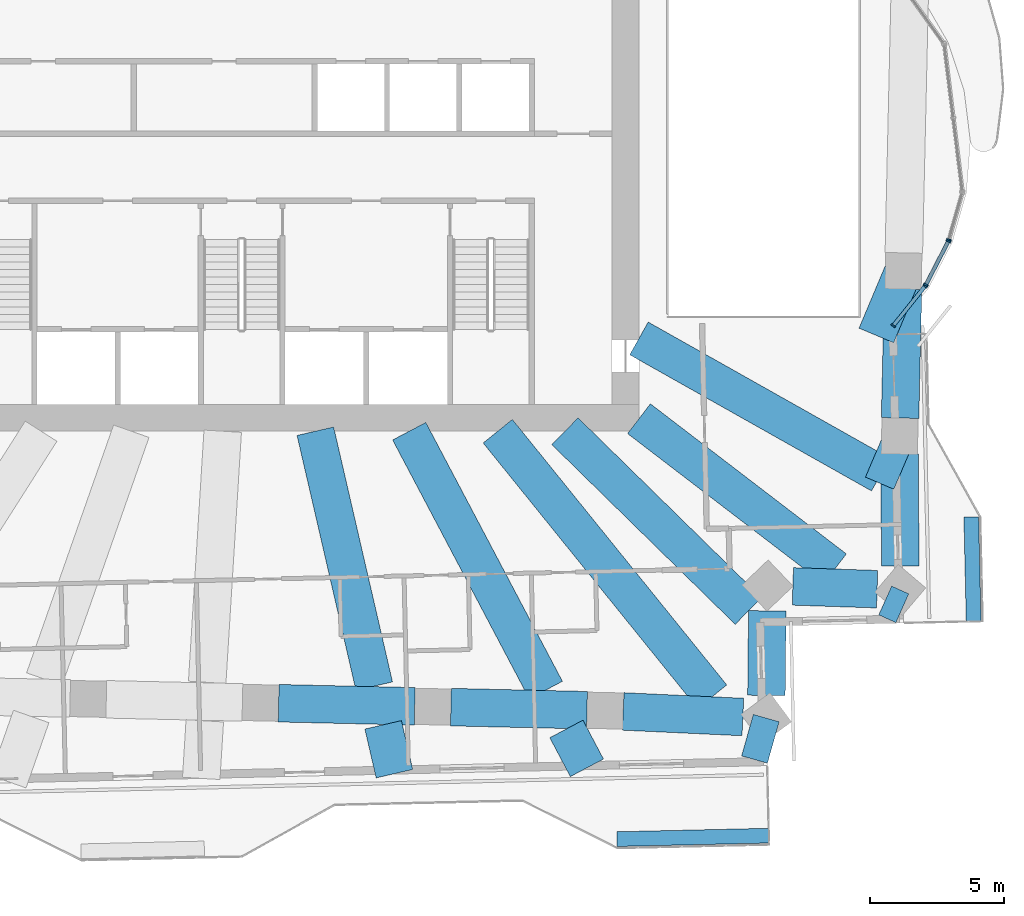
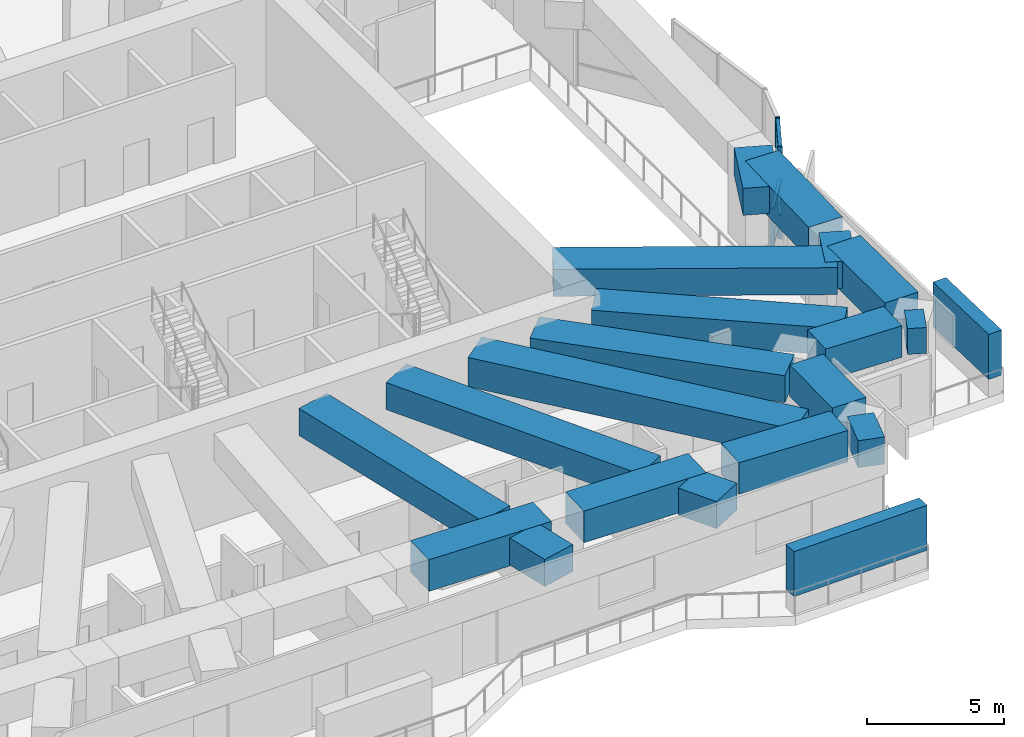
# One storey, part 3 of 21: 19 beams, 11 members, 3 elements without a shape of their own.
"""IFC4 building model written with IfcOpenShell, lengths in metres."""

import ifcopenshell
import ifcopenshell.guid

model = None  # the IFC model being written
_history = None  # IfcOwnerHistory: only IFC2X3 demands one
_inside = {}  # id of a spatial element -> (the spatial element, [elements in it])
_under = {}  # id of a project, library or spatial element -> (it, [spatial elements below it])
_declared = {}  # id of a project -> (the project, [libraries it declares])
_typed = {}  # id of a type object -> (the type object, [elements of that type])
_made_of = {}  # id of a material, layer set ... -> (it, [elements and type objects made of it])


def new_model(schema):
    """Start an empty IFC model of exactly this schema.

    Asked for "IFC4X3", IfcOpenShell would pick the latest addendum, in which some entities
    have other attributes; the version numbers below select the first issue.
    IFC2X3 requires an IfcOwnerHistory on every rooted entity: one is made here for all.
    """
    global model, _history
    if schema == "IFC4X3":
        model = ifcopenshell.file(schema_version=(4, 3, 0, 0))
    else:
        model = ifcopenshell.file(schema=schema)
    _inside.clear()
    _under.clear()
    _declared.clear()
    _typed.clear()
    _made_of.clear()
    _history = None
    if model.schema == "IFC2X3":
        org = make("IfcOrganization", Name="unknown")
        user = make(
            "IfcPersonAndOrganization",
            ThePerson=make("IfcPerson", FamilyName="unknown"),
            TheOrganization=org,
        )
        app = make(
            "IfcApplication",
            ApplicationDeveloper=org,
            Version="unknown",
            ApplicationFullName="unknown",
            ApplicationIdentifier="unknown",
        )
        _history = make(
            "IfcOwnerHistory",
            OwningUser=user,
            OwningApplication=app,
            ChangeAction="ADDED",
            CreationDate=0,
        )
    return model


def make(cls, **values):
    """One entity of the class cls with the attributes given. An attribute that is None is left unset."""
    return model.create_entity(
        cls, **{name: value for name, value in values.items() if value is not None}
    )


def rooted(cls, **values):
    """An entity with a GlobalId (a new one), such as an element, a storey or a relation."""
    return make(cls, GlobalId=ifcopenshell.guid.new(), OwnerHistory=_history, **values)


def si_unit(unit_type, name, prefix=None):
    """IfcSIUnit, for example si_unit("LENGTHUNIT", "METRE", prefix="MILLI")."""
    return make("IfcSIUnit", UnitType=unit_type, Prefix=prefix, Name=name)


def assignment(units):
    """IfcUnitAssignment: the units of a project."""
    return None if units is None else make("IfcUnitAssignment", Units=units)


def point(xyz):
    """IfcCartesianPoint."""
    return None if xyz is None else make("IfcCartesianPoint", Coordinates=xyz)


def direction(xyz):
    """IfcDirection."""
    return None if xyz is None else make("IfcDirection", DirectionRatios=xyz)


def frame(location, z_axis=None, x_axis=None):
    """IfcAxis2Placement3D, a coordinate frame: its origin and axes. An axis left out is left unset."""
    return make(
        "IfcAxis2Placement3D",
        Location=point(location),
        Axis=direction(z_axis),
        RefDirection=direction(x_axis),
    )


def frame_2d(location, x_axis=None):
    """IfcAxis2Placement2D, a coordinate frame in the plane: its origin and x axis."""
    return make(
        "IfcAxis2Placement2D", Location=point(location), RefDirection=direction(x_axis)
    )


def origin():
    """The frame at (0, 0, 0) with its axes left unset."""
    return frame((0.0, 0.0, 0.0))


def origin_2d():
    """The frame at (0, 0) in the plane with its x axis left unset."""
    return frame_2d((0.0, 0.0))


def place(relative_to, where):
    """IfcLocalPlacement: puts the frame where relative to a parent placement (None: the world)."""
    return make(
        "IfcLocalPlacement", PlacementRelTo=relative_to, RelativePlacement=where
    )


def context(
    kind, dimensions, precision=None, world=None, true_north=None, identifier=None
):
    """IfcGeometricRepresentationContext, for example the 3D "Model" context."""
    return make(
        "IfcGeometricRepresentationContext",
        ContextIdentifier=identifier,
        ContextType=kind,
        CoordinateSpaceDimension=dimensions,
        Precision=precision,
        WorldCoordinateSystem=world,
        TrueNorth=true_north,
    )


def subcontext(parent, identifier, kind, view, scale=None):
    """IfcGeometricRepresentationSubContext, for example "Body" below "Model"."""
    return make(
        "IfcGeometricRepresentationSubContext",
        ContextIdentifier=identifier,
        ContextType=kind,
        ParentContext=parent,
        TargetScale=scale,
        TargetView=view,
    )


def project(units=None, contexts=None):
    """IfcProject with its units and contexts."""
    return rooted(
        "IfcProject",
        Name="project",
        RepresentationContexts=contexts,
        UnitsInContext=assignment(units),
    )


def spatial(cls, under=None, at=None, **own):
    """A site, building, storey or space (cls), placed at a placement, below another one or the project."""
    s = rooted(cls, ObjectPlacement=at, **own)
    if under is not None:
        _under.setdefault(under.id(), (under, []))[1].append(s)
    return s


def profile(cls, at=None, kind="AREA", **sizes):
    """A parametric profile (cls). Its sizes go by their IFC names, for example OverallWidth=200.0."""
    return make(cls, ProfileType=kind, Position=at, **sizes)


def rectangle(**sizes):
    """IfcRectangleProfileDef."""
    return profile("IfcRectangleProfileDef", **sizes)


def extrude(swept, where, along, depth):
    """IfcExtrudedAreaSolid: the profile swept, set in the frame where, extruded along a direction by depth."""
    return make(
        "IfcExtrudedAreaSolid",
        SweptArea=swept,
        Position=where,
        ExtrudedDirection=direction(along),
        Depth=depth,
    )


def shape(context_of_items, identifier, shape_type, items):
    """IfcShapeRepresentation: the items that make up one representation, for example the "Body"."""
    return make(
        "IfcShapeRepresentation",
        ContextOfItems=context_of_items,
        RepresentationIdentifier=identifier,
        RepresentationType=shape_type,
        Items=items,
    )


def material(Name=None, Category=None):
    """IfcMaterial."""
    return make("IfcMaterial", Name=Name, Category=Category)


def material_profile(
    of_material, cross_section, Name=None, Category=None, Priority=None
):
    """IfcMaterialProfile: a cross section and its material."""
    return make(
        "IfcMaterialProfile",
        Name=Name,
        Material=of_material,
        Profile=cross_section,
        Priority=Priority,
        Category=Category,
    )


def profile_set(profiles, Name=None, composite=None):
    """IfcMaterialProfileSet."""
    return make(
        "IfcMaterialProfileSet",
        Name=Name,
        MaterialProfiles=profiles,
        CompositeProfile=composite,
    )


def made_of(thing, what):
    """Note that an element or type object is made of a material, layer set ...; save() writes the relation."""
    if what is not None:
        _made_of.setdefault(what.id(), (what, []))[1].append(thing)
    return thing


def type_object(cls, material=None, **own):
    """A type object (cls), such as IfcWallType, which elements share."""
    return made_of(rooted(cls, **own), material)


def element(
    cls,
    number,
    at=None,
    inside=None,
    cuts=None,
    type_object=None,
    material=None,
    context=None,
    identifier="Body",
    shape_type=None,
    held_by="IfcProductDefinitionShape",
    body=None,
    shapes=None,
    **own,
):
    """One element of the class cls, such as IfcWall. Its Tag is "e" and its number.

    at: its placement. inside: the storey or other place that contains it. cuts: it is an
    opening in that element (IfcRelVoidsElement). A single representation is given by context,
    identifier, shape_type and body (its items); several are given by shapes. held_by: the class
    of the entity that holds the representations. save() writes the other relations.
    """
    e = rooted(cls, Tag="e%d" % number, ObjectPlacement=at, **own)
    if body is not None:
        shapes = [shape(context, identifier, shape_type, body)]
    if shapes is not None:
        e.Representation = make(held_by, Representations=shapes)
    if inside is not None:
        _inside.setdefault(inside.id(), (inside, []))[1].append(e)
    if cuts is not None:
        rooted(
            "IfcRelVoidsElement", RelatingBuildingElement=cuts, RelatedOpeningElement=e
        )
    if type_object is not None:
        _typed.setdefault(type_object.id(), (type_object, []))[1].append(e)
    return made_of(e, material)


def aggregate(whole, parts):
    """IfcRelAggregates: a whole, such as a stair, and the parts it consists of."""
    return rooted("IfcRelAggregates", RelatingObject=whole, RelatedObjects=parts)


def save(model, path):
    """Write the relations noted so far, then the file.

    IfcRelAggregates (storeys below a building ...), IfcRelContainedInSpatialStructure (elements
    in a storey), IfcRelDefinesByType, IfcRelAssociatesMaterial and IfcRelDeclares: one each for
    every whole, place, type object, material and project.
    """
    for whole, parts in _under.values():
        aggregate(whole, parts)
    for where, things in _inside.values():
        rooted(
            "IfcRelContainedInSpatialStructure",
            RelatedElements=things,
            RelatingStructure=where,
        )
    for kind, things in _typed.values():
        rooted("IfcRelDefinesByType", RelatedObjects=things, RelatingType=kind)
    for what, things in _made_of.values():
        rooted("IfcRelAssociatesMaterial", RelatedObjects=things, RelatingMaterial=what)
    for by, libraries in _declared.values():
        rooted("IfcRelDeclares", RelatingContext=by, RelatedDefinitions=libraries)
    model.write(path)


model = new_model("IFC4")

# Units and contexts
model_context = context("Model", 3, precision=1e-05, world=origin(), true_north=direction((0.0, 1.0)))
body_context = subcontext(model_context, "Body", "Model", "MODEL_VIEW")
ifc_project = project(units=[si_unit("LENGTHUNIT", "METRE"), si_unit("AREAUNIT", "SQUARE_METRE"), si_unit("VOLUMEUNIT", "CUBIC_METRE"), si_unit("PLANEANGLEUNIT", "RADIAN"), si_unit("MASSUNIT", "GRAM", prefix="KILO")], contexts=[model_context])

# Site, building, storey
site_placement = place(None, origin())
site = spatial("IfcSite", under=ifc_project, at=site_placement, CompositionType="ELEMENT")
building_placement = place(site_placement, origin())
building = spatial("IfcBuilding", under=site, at=building_placement, Name="Mangrove Gate Tower", CompositionType="ELEMENT")
storey_placement = place(building_placement, frame((0.0, 0.0, 125.5)))
storey = spatial("IfcBuildingStorey", under=building, at=storey_placement, Name="L31", CompositionType="ELEMENT", Elevation=125.5)

# Members
ifc_material_1 = material(Name="Planting on aluminium trellis", Category="aluminium")
ifc_material_profile_1 = material_profile(ifc_material_1, rectangle(XDim=0.550048828125, YDim=2.0, at=origin_2d()))
ifc_profile_set_1 = profile_set([ifc_material_profile_1], Name="Planting on aluminium trellis")
member_type_1 = type_object("IfcMemberType", Name="Balcony greenery screen 550x2000", PredefinedType="USERDEFINED", material=ifc_profile_set_1)
member_1_placement = place(storey_placement, frame((27.285888671875, -18.89892578125, 1.800048828125), z_axis=(-0.022786818173, 0.999740346749, 0.0), x_axis=(-0.999740346749, -0.022786818173, 0.0)))
element("IfcMember", 1, at=member_1_placement, inside=storey, type_object=member_type_1, Name="GREEN SCREEN L31 E0.1", ObjectType="PLANTING", PredefinedType="USERDEFINED", context=body_context, shape_type="SweptSolid", body=[
    extrude(rectangle(XDim=0.550048828125, YDim=2.0, at=origin_2d()), origin(), (0.0, 0.0, 1.0), 3.89990234375),
])
member_2_placement = place(storey_placement, frame((13.97998046875, -27.01806640625, 1.800048828125), z_axis=(0.999740678608, 0.022772253659, 0.0), x_axis=(-0.022772253659, 0.999740678608, 0.0)))
element("IfcMember", 2, at=member_2_placement, inside=storey, type_object=member_type_1, Name="GREEN SCREEN L31 S1.1", ObjectType="PLANTING", PredefinedType="USERDEFINED", context=body_context, shape_type="SweptSolid", body=[
    extrude(rectangle(XDim=0.550048828125, YDim=2.0, at=origin_2d()), origin(), (0.0, 0.0, 1.0), 5.67138671875),
])

# Curtain wall, members
ifc_material_2 = material(Name="Aluminium and glass curtain wall", Category="aluminium")
curtain_wall_type = type_object("IfcCurtainWallType", Name="Sky-lounge glazing wall", PredefinedType="NOTDEFINED", material=ifc_material_2)
curtain_wall_1_placement = place(storey_placement, origin())
curtain_wall_1 = element("IfcCurtainWall", 3, at=curtain_wall_1_placement, inside=storey, type_object=curtain_wall_type, Name="Sky-lounge glazing E1f1", PredefinedType="NOTDEFINED")
ifc_material_3 = material(Name="Aluminium alloy 6063-T6", Category="aluminium")
ifc_material_profile_2 = material_profile(ifc_material_3, rectangle(XDim=0.06005859375, YDim=0.179931640625, at=origin_2d()))
ifc_profile_set_2 = profile_set([ifc_material_profile_2], Name="Aluminium alloy 6063-T6")
member_type_2 = type_object("IfcMemberType", Name="Sky-lounge glazing mullion 60x180", PredefinedType="MULLION", material=ifc_profile_set_2)
member_3_placement = place(storey_placement, frame((24.288818359375, -7.862060546875, 0.0), z_axis=(0.0, 0.0, 1.0), x_axis=(0.625547939332, 0.780185731475, 0.0)))
member_3 = element("IfcMember", 4, at=member_3_placement, type_object=member_type_2, Name="CWK mullion 1", PredefinedType="MULLION", context=body_context, shape_type="SweptSolid", body=[
    extrude(rectangle(XDim=0.06005859375, YDim=0.179931640625, at=origin_2d()), origin(), (0.0, 0.0, 1.0), 2.64990234375),
])
member_4_placement = place(storey_placement, frame((25.47265625, -6.385498046875, 0.0), z_axis=(0.0, 0.0, 1.0), x_axis=(0.625547939332, 0.780185731475, 0.0)))
member_4 = element("IfcMember", 5, at=member_4_placement, type_object=member_type_2, Name="CWK mullion 2", PredefinedType="MULLION", context=body_context, shape_type="SweptSolid", body=[
    extrude(rectangle(XDim=0.06005859375, YDim=0.179931640625, at=origin_2d()), origin(), (0.0, 0.0, 1.0), 2.64990234375),
])

curtain_wall_2_placement = place(storey_placement, origin())
curtain_wall_2 = element("IfcCurtainWall", 6, at=curtain_wall_2_placement, inside=storey, type_object=curtain_wall_type, Name="Sky-lounge glazing E1f2", PredefinedType="NOTDEFINED")
member_5_placement = place(storey_placement, frame((25.505126953125, -6.33544921875, 0.0), z_axis=(0.0, 0.0, 1.0), x_axis=(0.458454747307, 0.888717753098, 0.0)))
member_5 = element("IfcMember", 7, at=member_5_placement, type_object=member_type_2, Name="CWK mullion 1", PredefinedType="MULLION", context=body_context, shape_type="SweptSolid", body=[
    extrude(rectangle(XDim=0.06005859375, YDim=0.179931640625, at=origin_2d()), origin(), (0.0, 0.0, 1.0), 4.050048828125),
])
member_6_placement = place(storey_placement, frame((26.3408203125, -4.715576171875, 0.0), z_axis=(0.0, 0.0, 1.0), x_axis=(0.458454747307, 0.888717753098, 0.0)))
member_6 = element("IfcMember", 8, at=member_6_placement, type_object=member_type_2, Name="CWK mullion 2", PredefinedType="MULLION", context=body_context, shape_type="SweptSolid", body=[
    extrude(rectangle(XDim=0.06005859375, YDim=0.179931640625, at=origin_2d()), origin(), (0.0, 0.0, 1.0), 4.050048828125),
])

# Curtain wall, member
curtain_wall_3_placement = place(storey_placement, origin())
curtain_wall_3 = element("IfcCurtainWall", 9, at=curtain_wall_3_placement, inside=storey, type_object=curtain_wall_type, Name="Sky-lounge glazing E1f3", PredefinedType="NOTDEFINED")
member_7_placement = place(storey_placement, frame((26.36279296875, -4.66015625, 0.0), z_axis=(0.0, 0.0, 1.0), x_axis=(0.273161206695, 0.961968271388, 0.0)))
member_7 = element("IfcMember", 10, at=member_7_placement, type_object=member_type_2, Name="CWK mullion 1", PredefinedType="MULLION", context=body_context, shape_type="SweptSolid", body=[
    extrude(rectangle(XDim=0.06005859375, YDim=0.179931640625, at=origin_2d()), origin(), (0.0, 0.0, 1.0), 4.050048828125),
])
aggregate(curtain_wall_3, [member_7])

# Member
ifc_material_4 = material(Name="Aluminium alloy 6063-T6", Category="aluminium")
ifc_material_profile_3 = material_profile(ifc_material_4, rectangle(XDim=0.06005859375, YDim=0.139892578125, at=origin_2d()))
ifc_profile_set_3 = profile_set([ifc_material_profile_3], Name="Aluminium alloy 6063-T6")
member_type_3 = type_object("IfcMemberType", Name="Sky-lounge glazing transom 60x140", PredefinedType="USERDEFINED", material=ifc_profile_set_3)
member_8_placement = place(storey_placement, frame((24.3076171875, -7.838623046875, 1.0), z_axis=(0.62552333267, 0.780205460302, 0.0), x_axis=(0.0, 0.0, 1.0)))
member_8 = element("IfcMember", 11, at=member_8_placement, type_object=member_type_3, Name="CWK transom 1.2", ObjectType="TRANSOM", PredefinedType="USERDEFINED", context=body_context, shape_type="SweptSolid", body=[
    extrude(rectangle(XDim=0.06005859375, YDim=0.139892578125, at=origin_2d()), origin(), (0.0, 0.0, 1.0), 1.83251953125),
])

member_9_placement = place(storey_placement, frame((24.3076171875, -7.838623046875, 2.6201171875), z_axis=(0.62552333267, 0.780205460302, 0.0), x_axis=(0.0, 0.0, 1.0)))
member_9 = element("IfcMember", 12, at=member_9_placement, type_object=member_type_3, Name="CWK transom 1.3", ObjectType="TRANSOM", PredefinedType="USERDEFINED", context=body_context, shape_type="SweptSolid", body=[
    extrude(rectangle(XDim=0.06005859375, YDim=0.139892578125, at=origin_2d()), origin(), (0.0, 0.0, 1.0), 1.83251953125),
])

aggregate(curtain_wall_1, [member_3, member_4, member_8, member_9])

member_10_placement = place(storey_placement, frame((25.51904296875, -6.308837890625, 1.0), z_axis=(0.458424178911, 0.888733521473, 0.0), x_axis=(0.0, 0.0, 1.0)))
member_10 = element("IfcMember", 13, at=member_10_placement, type_object=member_type_3, Name="CWK transom 1.2", ObjectType="TRANSOM", PredefinedType="USERDEFINED", context=body_context, shape_type="SweptSolid", body=[
    extrude(rectangle(XDim=0.06005859375, YDim=0.139892578125, at=origin_2d()), origin(), (0.0, 0.0, 1.0), 1.7626953125),
])

member_11_placement = place(storey_placement, frame((25.51904296875, -6.308837890625, 4.02001953125), z_axis=(0.458424178911, 0.888733521473, 0.0), x_axis=(0.0, 0.0, 1.0)))
member_11 = element("IfcMember", 14, at=member_11_placement, type_object=member_type_3, Name="CWK transom 1.3", ObjectType="TRANSOM", PredefinedType="USERDEFINED", context=body_context, shape_type="SweptSolid", body=[
    extrude(rectangle(XDim=0.06005859375, YDim=0.139892578125, at=origin_2d()), origin(), (0.0, 0.0, 1.0), 1.7626953125),
])

aggregate(curtain_wall_2, [member_5, member_6, member_10, member_11])

# Beams
ifc_material_5 = material(Name="Concrete C70/85", Category="concrete")
ifc_material_profile_4 = material_profile(ifc_material_5, rectangle(XDim=1.0, YDim=1.199951171875, at=origin_2d()))
ifc_profile_set_4 = profile_set([ifc_material_profile_4], Name="Concrete C70/85")
beam_type_1 = type_object("IfcBeamType", Name="Transfer girder RC 1000x1200 C70/85", PredefinedType="BEAM", material=ifc_profile_set_4)
beam_1_placement = place(storey_placement, frame((19.546875, -22.5029296875, 3.449951171875), z_axis=(-0.271088608089, -0.962554396678, 0.0), x_axis=(0.962554396678, -0.271088608089, 0.0)))
element("IfcBeam", 15, at=beam_1_placement, inside=storey, type_object=beam_type_1, Name="Transfer edge girder L31 10", PredefinedType="BEAM", context=body_context, shape_type="SweptSolid", body=[
    extrude(rectangle(XDim=1.0, YDim=1.199951171875, at=origin_2d()), origin(), (0.0, 0.0, 1.0), 1.607666015625),
])
ifc_material_6 = material(Name="Concrete C70/85", Category="concrete")
ifc_material_profile_5 = material_profile(ifc_material_6, rectangle(XDim=1.14990234375, YDim=1.199951171875, at=origin_2d()))
ifc_profile_set_5 = profile_set([ifc_material_profile_5], Name="Concrete C70/85")
beam_type_2 = type_object("IfcBeamType", Name="Transfer girder RC 1150x1200 C70/85", PredefinedType="BEAM", material=ifc_profile_set_5)
beam_2_placement = place(storey_placement, frame((24.526123046875, -11.983642578125, 3.449951171875), z_axis=(-0.391864071142, -0.920023124572, 0.0), x_axis=(0.920023124572, -0.391864071142, 0.0)))
element("IfcBeam", 16, at=beam_2_placement, inside=storey, type_object=beam_type_2, Name="Transfer edge girder L31 13", PredefinedType="BEAM", context=body_context, shape_type="SweptSolid", body=[
    extrude(rectangle(XDim=1.14990234375, YDim=1.199951171875, at=origin_2d()), origin(), (0.0, 0.0, 1.0), 1.90771484375),
])
ifc_material_7 = material(Name="Concrete C70/85", Category="concrete")
ifc_material_profile_6 = material_profile(ifc_material_7, rectangle(XDim=1.39990234375, YDim=1.199951171875, at=origin_2d()))
ifc_profile_set_6 = profile_set([ifc_material_profile_6], Name="Concrete C70/85")
beam_type_3 = type_object("IfcBeamType", Name="Transfer girder RC 1400x1200 C70/85", PredefinedType="BEAM", material=ifc_profile_set_6)
beam_3_placement = place(storey_placement, frame((2.725830078125, -11.800048828125, 3.449951171875), z_axis=(0.225091450826, -0.974337641049, 0.0), x_axis=(0.974337641049, 0.225091450826, 0.0)))
element("IfcBeam", 17, at=beam_3_placement, inside=storey, type_object=beam_type_3, Name="Transfer girder L31 08", PredefinedType="BEAM", context=body_context, shape_type="SweptSolid", body=[
    extrude(rectangle(XDim=1.39990234375, YDim=1.199951171875, at=origin_2d()), origin(), (0.0, 0.0, 1.0), 9.7626953125),
])
beam_4_placement = place(storey_placement, frame((5.25634765625, -22.75439453125, 3.449951171875), z_axis=(0.225088217403, -0.974338388029, 0.0), x_axis=(0.974338388029, 0.225088217403, 0.0)))
element("IfcBeam", 18, at=beam_4_placement, inside=storey, type_object=beam_type_3, Name="Transfer cantilever girder L31 08", PredefinedType="BEAM", context=body_context, shape_type="SweptSolid", body=[
    extrude(rectangle(XDim=1.39990234375, YDim=1.199951171875, at=origin_2d()), origin(), (0.0, 0.0, 1.0), 1.87109375),
])
beam_5_placement = place(storey_placement, frame((6.228515625, -11.800048828125, 3.449951171875), z_axis=(0.466796504514, -0.884364756972, 0.0), x_axis=(0.884364756972, 0.466796504514, 0.0)))
element("IfcBeam", 19, at=beam_5_placement, inside=storey, type_object=beam_type_3, Name="Transfer girder L31 09", PredefinedType="BEAM", context=body_context, shape_type="SweptSolid", body=[
    extrude(rectangle(XDim=1.39990234375, YDim=1.199951171875, at=origin_2d()), origin(), (0.0, 0.0, 1.0), 10.92041015625),
])
beam_6_placement = place(storey_placement, frame((12.091796875, -22.908203125, 3.449951171875), z_axis=(0.466868551719, -0.884326724359, 0.0), x_axis=(0.884326724359, 0.466868551719, 0.0)))
element("IfcBeam", 20, at=beam_6_placement, inside=storey, type_object=beam_type_3, Name="Transfer cantilever girder L31 09", PredefinedType="BEAM", context=body_context, shape_type="SweptSolid", body=[
    extrude(rectangle(XDim=1.39990234375, YDim=1.199951171875, at=origin_2d()), origin(), (0.0, 0.0, 1.0), 1.640380859375),
])
beam_7_placement = place(storey_placement, frame((12.038330078125, -11.800048828125, 3.449951171875), z_axis=(0.714130034893, -0.700013066495, 0.0), x_axis=(0.700013066495, 0.714130034893, 0.0)))
element("IfcBeam", 21, at=beam_7_placement, inside=storey, type_object=beam_type_3, Name="Transfer girder L31 11", PredefinedType="BEAM", context=body_context, shape_type="SweptSolid", body=[
    extrude(rectangle(XDim=1.39990234375, YDim=1.199951171875, at=origin_2d()), origin(), (0.0, 0.0, 1.0), 9.5810546875),
])
beam_8_placement = place(storey_placement, frame((14.800048828125, -11.33349609375, 3.449951171875), z_axis=(0.793940768933, -0.60799511135, 0.0), x_axis=(0.60799511135, 0.793940768933, 0.0)))
element("IfcBeam", 22, at=beam_8_placement, inside=storey, type_object=beam_type_3, Name="Transfer girder L31 12", PredefinedType="BEAM", context=body_context, shape_type="SweptSolid", body=[
    extrude(rectangle(XDim=1.39990234375, YDim=1.199951171875, at=origin_2d()), origin(), (0.0, 0.0, 1.0), 9.209228515625),
])
beam_9_placement = place(storey_placement, frame((14.800048828125, -8.338134765625, 3.449951171875), z_axis=(0.871244644402, -0.490849029336, 0.0), x_axis=(0.490849029336, 0.871244644402, 0.0)))
element("IfcBeam", 23, at=beam_9_placement, inside=storey, type_object=beam_type_3, Name="Transfer girder L31 13", PredefinedType="BEAM", context=body_context, shape_type="SweptSolid", body=[
    extrude(rectangle(XDim=1.39990234375, YDim=1.199951171875, at=origin_2d()), origin(), (0.0, 0.0, 1.0), 10.35107421875),
])
beam_10_placement = place(storey_placement, frame((24.666259765625, -5.82275390625, 3.449951171875), z_axis=(-0.387529912661, -0.921857129274, 0.0), x_axis=(0.921857129274, -0.387529912661, 0.0)))
element("IfcBeam", 24, at=beam_10_placement, inside=storey, type_object=beam_type_3, Name="Transfer edge girder L31 14", PredefinedType="BEAM", context=body_context, shape_type="SweptSolid", body=[
    extrude(rectangle(XDim=1.39990234375, YDim=1.199951171875, at=origin_2d()), origin(), (0.0, 0.0, 1.0), 2.609375),
])
ifc_material_8 = material(Name="Concrete C70/85", Category="concrete")
ifc_material_profile_7 = material_profile(ifc_material_8, rectangle(XDim=1.39990234375, YDim=1.300048828125, at=origin_2d()))
ifc_profile_set_7 = profile_set([ifc_material_profile_7], Name="Concrete C70/85")
beam_type_4 = type_object("IfcBeamType", Name="Transfer girder RC 1400x1300 C70/85", PredefinedType="BEAM", material=ifc_profile_set_7)
beam_11_placement = place(storey_placement, frame((9.531005859375, -11.800048828125, 3.39990234375), z_axis=(0.628354512433, -0.777927121718, 0.0), x_axis=(0.777927121718, 0.628354512433, 0.0)))
element("IfcBeam", 25, at=beam_11_placement, inside=storey, type_object=beam_type_4, Name="Transfer girder L31 10", PredefinedType="BEAM", context=body_context, shape_type="SweptSolid", body=[
    extrude(rectangle(XDim=1.39990234375, YDim=1.300048828125, at=origin_2d()), origin(), (0.0, 0.0, 1.0), 12.733154296875),
])
ifc_material_9 = material(Name="Concrete C70/85", Category="concrete")
ifc_material_profile_8 = material_profile(ifc_material_9, rectangle(XDim=1.39990234375, YDim=1.39990234375, at=origin_2d()))
ifc_profile_set_8 = profile_set([ifc_material_profile_8], Name="Concrete C70/85")
beam_type_5 = type_object("IfcBeamType", Name="Transfer girder RC 1400x1400 C70/85", PredefinedType="BEAM", material=ifc_profile_set_8)
for number, where, z_axis, x_axis, name in (
    (26, (1.355224609375, -21.948486328125, 3.35009765625), (0.999741537692, -0.022734507083, 0.0), (0.022734507083, 0.999741537692, 0.0), "Transfer ring girder L31 08"),
    (27, (7.783203125, -22.094482421875, 3.35009765625), (0.999745889005, -0.022542347209, 0.0), (0.022542347209, 0.999745889005, 0.0), "Transfer ring girder L31 09"),
):
    element("IfcBeam", number, at=place(storey_placement, frame(where, z_axis=z_axis, x_axis=x_axis)), inside=storey, type_object=beam_type_5, Name=name, PredefinedType="BEAM", context=body_context, shape_type="SweptSolid", body=[
        extrude(rectangle(XDim=1.39990234375, YDim=1.39990234375, at=origin_2d()), origin(), (0.0, 0.0, 1.0), 5.079345703125),
    ])
beam_12_placement = place(storey_placement, frame((14.210693359375, -22.25537109375, 3.35009765625), z_axis=(0.998927147581, -0.046309327638, 0.0), x_axis=(0.046309327638, 0.998927147581, 0.0)))
element("IfcBeam", 28, at=beam_12_placement, inside=storey, type_object=beam_type_5, Name="Transfer ring girder L31 10", PredefinedType="BEAM", context=body_context, shape_type="SweptSolid", body=[
    extrude(rectangle(XDim=1.39990234375, YDim=1.39990234375, at=origin_2d()), origin(), (0.0, 0.0, 1.0), 4.470703125),
])
beam_13_placement = place(storey_placement, frame((19.555419921875, -21.65625, 3.35009765625), z_axis=(0.01006063159, 0.999949390565, 0.0), x_axis=(-0.999949390565, 0.01006063159, 0.0)))
element("IfcBeam", 29, at=beam_13_placement, inside=storey, type_object=beam_type_5, Name="Transfer ring girder L31 11", PredefinedType="BEAM", context=body_context, shape_type="SweptSolid", body=[
    extrude(rectangle(XDim=1.39990234375, YDim=1.39990234375, at=origin_2d()), origin(), (0.0, 0.0, 1.0), 3.15478515625),
])
beam_14_placement = place(storey_placement, frame((20.541015625, -17.59033203125, 3.35009765625), z_axis=(0.999453316313, -0.03306158664, 0.0), x_axis=(0.03306158664, 0.999453316313, 0.0)))
element("IfcBeam", 30, at=beam_14_placement, inside=storey, type_object=beam_type_5, Name="Transfer ring girder L31 12", PredefinedType="BEAM", context=body_context, shape_type="SweptSolid", body=[
    extrude(rectangle(XDim=1.39990234375, YDim=1.39990234375, at=origin_2d()), origin(), (0.0, 0.0, 1.0), 3.145751953125),
])
beam_15_placement = place(storey_placement, frame((24.54345703125, -16.834716796875, 3.35009765625), z_axis=(-0.003566394531, 0.999993640395, 0.0), x_axis=(-0.999993640395, -0.003566394531, 0.0)))
element("IfcBeam", 31, at=beam_15_placement, inside=storey, type_object=beam_type_5, Name="Transfer ring girder L31 13", PredefinedType="BEAM", context=body_context, shape_type="SweptSolid", body=[
    extrude(rectangle(XDim=1.39990234375, YDim=1.39990234375, at=origin_2d()), origin(), (0.0, 0.0, 1.0), 4.17578125),
])
beam_16_placement = place(storey_placement, frame((24.54150390625, -11.308837890625, 3.35009765625), z_axis=(0.022727167182, 0.999741704578, 0.0), x_axis=(-0.999741704578, 0.022727167182, 0.0)))
element("IfcBeam", 32, at=beam_16_placement, inside=storey, type_object=beam_type_5, Name="Transfer ring girder L31 14", PredefinedType="BEAM", context=body_context, shape_type="SweptSolid", body=[
    extrude(rectangle(XDim=1.39990234375, YDim=1.39990234375, at=origin_2d()), origin(), (0.0, 0.0, 1.0), 4.8125),
])
ifc_material_10 = material(Name="Concrete C70/85", Category="concrete")
ifc_material_profile_9 = material_profile(ifc_material_10, rectangle(XDim=0.699951171875, YDim=1.14990234375, at=origin_2d()))
ifc_profile_set_9 = profile_set([ifc_material_profile_9], Name="Concrete C70/85")
beam_type_6 = type_object("IfcBeamType", Name="Transfer girder RC 700x1150 C70/85", PredefinedType="BEAM", material=ifc_profile_set_9)
beam_17_placement = place(storey_placement, frame((24.546630859375, -17.722900390625, 3.47509765625), z_axis=(-0.408966536808, -0.912549380457, 0.0), x_axis=(0.912549380457, -0.408966536808, 0.0)))
element("IfcBeam", 33, at=beam_17_placement, inside=storey, type_object=beam_type_6, Name="Transfer edge girder L31 12", PredefinedType="BEAM", context=body_context, shape_type="SweptSolid", body=[
    extrude(rectangle(XDim=0.699951171875, YDim=1.14990234375, at=origin_2d()), origin(), (0.0, 0.0, 1.0), 1.176513671875),
])

save(model, "model.ifc")
